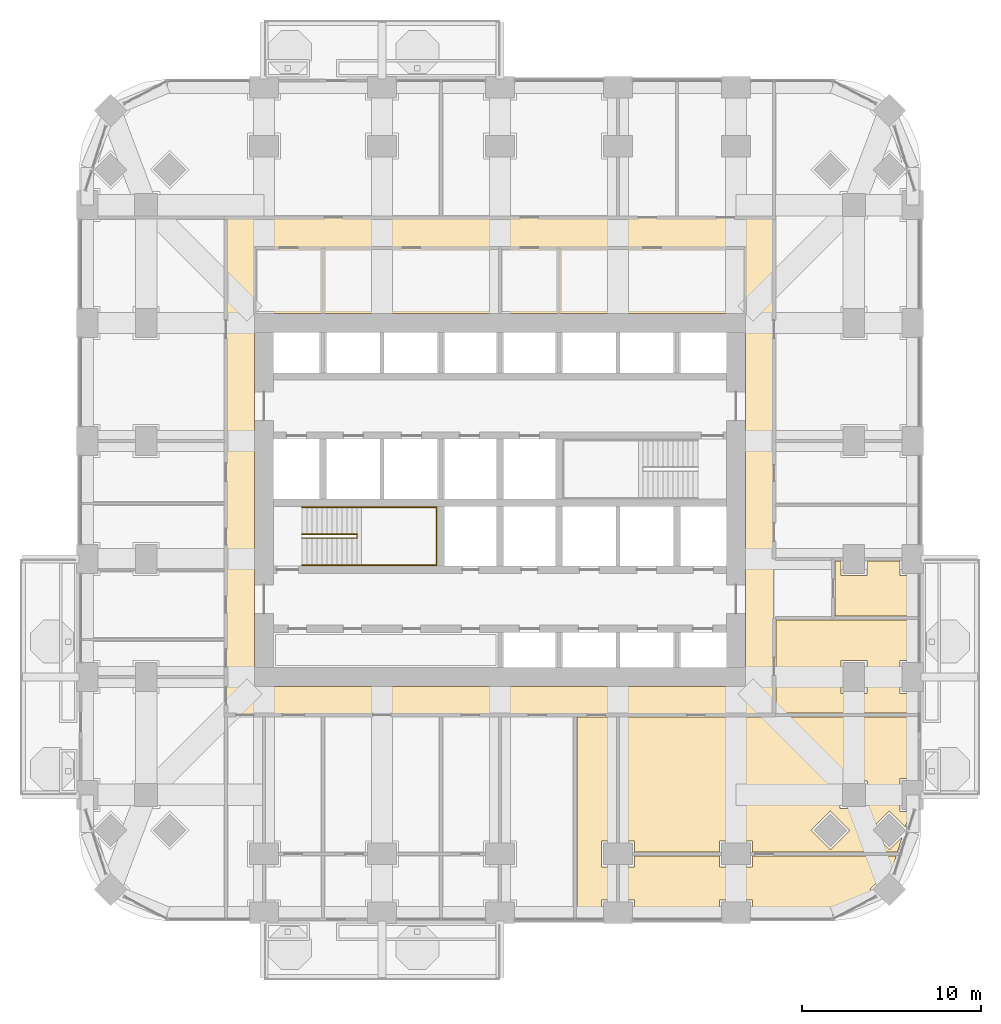
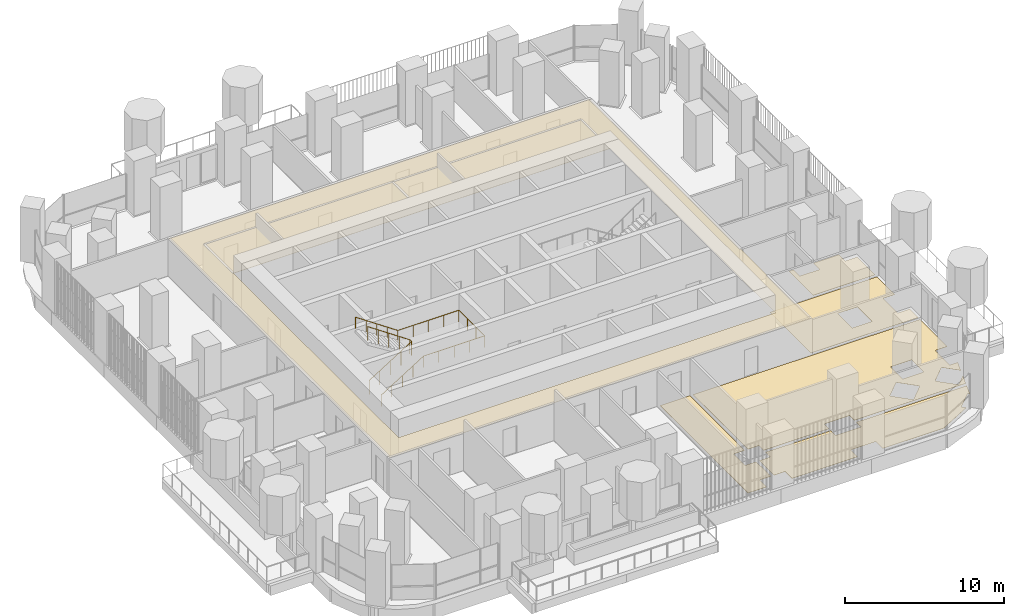
# One storey, part 18 of 21: 6 coverings, 2 railings.
"""IFC4 building model written with IfcOpenShell, lengths in metres."""

from ifc_helpers import new_model, si_unit, direction, frame, origin, place, context, subcontext, project, spatial, polyline, outline, extrude, material, layer, layer_set, type_object, element, save


model = new_model("IFC4")

# Units and contexts
model_context = context("Model", 3, precision=1e-05, world=origin(), true_north=direction((0.0, 1.0)))
body_context = subcontext(model_context, "Body", "Model", "MODEL_VIEW")
ifc_project = project(units=[si_unit("LENGTHUNIT", "METRE"), si_unit("AREAUNIT", "SQUARE_METRE"), si_unit("VOLUMEUNIT", "CUBIC_METRE"), si_unit("PLANEANGLEUNIT", "RADIAN"), si_unit("MASSUNIT", "GRAM", prefix="KILO")], contexts=[model_context])

# Site, building, storey
site_placement = place(None, origin())
site = spatial("IfcSite", under=ifc_project, at=site_placement, CompositionType="ELEMENT")
building_placement = place(site_placement, origin())
building = spatial("IfcBuilding", under=site, at=building_placement, Name="Cobogo Forest Laboratory Tower", CompositionType="ELEMENT")
storey_placement = place(building_placement, frame((0.0, 0.0, 99.0)))
storey = spatial("IfcBuildingStorey", under=building, at=storey_placement, Name="L22", CompositionType="ELEMENT", Elevation=99.0)

# Coverings
ifc_material_1 = material(Name="Mineral fibre ceiling tile", Category="ceiling")
ifc_layer_1 = layer(ifc_material_1, 0.02001953125)
ifc_layer_set_1 = layer_set([ifc_layer_1], Name="CL1 suspended ceiling")
covering_type_1 = type_object("IfcCoveringType", Name="CL1 suspended ceiling", PredefinedType="CEILING", material=ifc_layer_set_1)
covering_1_placement = place(storey_placement, frame((0.0, 0.0, 2.800048828125)))
element("IfcCovering", 1, at=covering_1_placement, inside=storey, type_object=covering_type_1, Name="Corridor ceiling L22", PredefinedType="CEILING", context=body_context, shape_type="SweptSolid", body=[
    extrude(outline(polyline([(11.074951171875, 11.074951171875), (11.074951171875, 38.89990234375), (41.72509765625, 38.89990234375), (41.72509765625, 11.074951171875), (11.074951171875, 11.074951171875)]), holes=[polyline([(40.125, 33.52490234375), (12.675048828125, 33.52490234375), (12.675048828125, 12.675048828125), (40.125, 12.675048828125), (40.125, 33.52490234375)])]), origin(), (0.0, 0.0, 1.0), 0.02001953125),
])
ifc_material_2 = material(Name="Carpet tile on raised access floor", Category="flooring")
ifc_layer_2 = layer(ifc_material_2, 0.008056640625)
ifc_layer_set_2 = layer_set([ifc_layer_2], Name="CT1 carpet tile floor 8")
covering_type_2 = type_object("IfcCoveringType", Name="CT1 carpet tile floor 8", PredefinedType="FLOORING", material=ifc_layer_set_2)
covering_2_placement = place(storey_placement, origin())
element("IfcCovering", 2, at=covering_2_placement, inside=storey, type_object=covering_type_2, Name="Carpet floor L22-15", PredefinedType="FLOORING", context=body_context, shape_type="SweptSolid", body=[
    extrude(outline(polyline([(38.679931640625, 3.179931640625), (38.679931640625, 2.580078125), (40.52001953125, 2.580078125), (40.52001953125, 3.179931640625), (48.560302734375, 3.179931640625), (48.283935546875, 2.304931640625), (48.181884765625, 2.406982421875), (47.093017578125, 1.318115234375), (47.3193359375, 1.091552734375), (44.95068359375, -0.14990234375), (40.52001953125, -0.14990234375), (40.52001953125, 0.719970703125), (38.679931640625, 0.719970703125), (38.679931640625, -0.14990234375), (33.919921875, -0.14990234375), (33.919921875, 0.719970703125), (33.1201171875, 0.719970703125), (33.1201171875, 2.580078125), (33.919921875, 2.580078125), (33.919921875, 3.179931640625), (38.679931640625, 3.179931640625)])), origin(), (0.0, 0.0, 1.0), 0.008056640625),
])
covering_3_placement = place(storey_placement, origin())
element("IfcCovering", 3, at=covering_3_placement, inside=storey, type_object=covering_type_2, Name="Carpet floor L22-16", PredefinedType="FLOORING", context=body_context, shape_type="SweptSolid", body=[
    extrude(outline(polyline([(41.844970703125, 16.3798828125), (49.64990234375, 16.3798828125), (49.64990234375, 14.1201171875), (48.780029296875, 14.1201171875), (48.780029296875, 12.280029296875), (49.64990234375, 12.280029296875), (49.64990234375, 11.195068359375), (41.844970703125, 11.195068359375), (41.844970703125, 16.3798828125)]), holes=[polyline([(45.47998046875, 12.280029296875), (46.919921875, 12.280029296875), (46.919921875, 14.1201171875), (45.47998046875, 14.1201171875), (45.47998046875, 12.280029296875)])]), origin(), (0.0, 0.0, 1.0), 0.008056640625),
])
covering_4_placement = place(storey_placement, origin())
element("IfcCovering", 4, at=covering_4_placement, inside=storey, type_object=covering_type_2, Name="Carpet floor L22-17", PredefinedType="FLOORING", context=body_context, shape_type="SweptSolid", body=[
    extrude(outline(polyline([(45.14501953125, 19.679931640625), (45.47998046875, 19.679931640625), (45.47998046875, 18.8798828125), (46.919921875, 18.8798828125), (46.919921875, 19.679931640625), (48.780029296875, 19.679931640625), (48.780029296875, 18.8798828125), (49.64990234375, 18.8798828125), (49.64990234375, 16.6201171875), (45.14501953125, 16.6201171875), (45.14501953125, 19.679931640625)])), origin(), (0.0, 0.0, 1.0), 0.008056640625),
])

# Railings
ifc_material_3 = material(Name="Steel balustrade", Category="steel")
railing_type_1 = type_object("IfcRailingType", Name="GR stair guard 1100", PredefinedType="GUARDRAIL", material=ifc_material_3)
railing_1_placement = place(storey_placement, frame((15.324951171875, 20.969970703125, 0.175048828125)))
element("IfcRailing", 5, at=railing_1_placement, inside=storey, type_object=railing_type_1, Name="Stair guard ST1 L22", PredefinedType="GUARDRAIL", context=body_context, shape_type="SweptSolid", body=[
    extrude(outline(polyline([(0.022216796875, 0.00927734375), (0.00927734375, 0.022216796875), (-0.00927734375, 0.022216796875), (-0.022216796875, 0.00927734375), (-0.022216796875, -0.00927734375), (-0.00927734375, -0.022216796875), (0.00927734375, -0.022216796875), (0.022216796875, -0.00927734375), (0.022216796875, 0.00927734375)])), frame((0.0, 0.0, 1.077880859375), z_axis=(0.847998304005, 0.0, 0.529998940003), x_axis=(0.0, 1.0, 0.0)), (0.0, 0.0, 1.0), 3.632080078125),
    extrude(outline(polyline([(0.022216796875, 0.00927734375), (0.00927734375, 0.022216796875), (-0.00927734375, 0.022216796875), (-0.022216796875, 0.00927734375), (-0.022216796875, -0.00927734375), (-0.00927734375, -0.022216796875), (0.00927734375, -0.022216796875), (0.022216796875, -0.00927734375), (0.022216796875, 0.00927734375)])), frame((3.080078125, 0.0, 3.0029296875), z_axis=(0.0, 1.0, 0.0), x_axis=(-1.0, 0.0, 0.0)), (0.0, 0.0, 1.0), 0.2099609375),
    extrude(outline(polyline([(0.022216796875, 0.00927734375), (0.00927734375, 0.022216796875), (-0.00927734375, 0.022216796875), (-0.022216796875, 0.00927734375), (-0.022216796875, -0.00927734375), (-0.00927734375, -0.022216796875), (0.00927734375, -0.022216796875), (0.022216796875, -0.00927734375), (0.022216796875, 0.00927734375)])), frame((3.080078125, 0.2099609375, 3.0029296875), z_axis=(-0.826252282691, 0.0, 0.563300244406), x_axis=(0.0, -1.0, 0.0)), (0.0, 0.0, 1.0), 3.727783203125),
    extrude(outline(polyline([(0.019287109375, 0.008056640625), (0.008056640625, 0.019287109375), (-0.008056640625, 0.019287109375), (-0.019287109375, 0.008056640625), (-0.019287109375, -0.008056640625), (-0.008056640625, -0.019287109375), (0.008056640625, -0.019287109375), (0.019287109375, -0.008056640625), (0.019287109375, 0.008056640625)])), origin(), (0.0, 0.0, 1.0), 1.077880859375),
    extrude(outline(polyline([(0.019287109375, 0.008056640625), (0.008056640625, 0.019287109375), (-0.008056640625, 0.019287109375), (-0.019287109375, 0.008056640625), (-0.019287109375, -0.008056640625), (-0.008056640625, -0.019287109375), (0.008056640625, -0.019287109375), (0.019287109375, -0.008056640625), (0.019287109375, 0.008056640625)])), frame((0.77001953125, 0.0, 0.481201171875)), (0.0, 0.0, 1.0), 1.077880859375),
    extrude(outline(polyline([(0.019287109375, 0.008056640625), (0.008056640625, 0.019287109375), (-0.008056640625, 0.019287109375), (-0.019287109375, 0.008056640625), (-0.019287109375, -0.008056640625), (-0.008056640625, -0.019287109375), (0.008056640625, -0.019287109375), (0.019287109375, -0.008056640625), (0.019287109375, 0.008056640625)])), frame((1.5400390625, 0.0, 0.96240234375)), (0.0, 0.0, 1.0), 1.077880859375),
    extrude(outline(polyline([(0.019287109375, 0.008056640625), (0.008056640625, 0.019287109375), (-0.008056640625, 0.019287109375), (-0.019287109375, 0.008056640625), (-0.019287109375, -0.008056640625), (-0.008056640625, -0.019287109375), (0.008056640625, -0.019287109375), (0.019287109375, -0.008056640625), (0.019287109375, 0.008056640625)])), frame((2.31005859375, 0.0, 1.44384765625)), (0.0, 0.0, 1.0), 1.077880859375),
    extrude(outline(polyline([(0.019287109375, 0.008056640625), (0.008056640625, 0.019287109375), (-0.008056640625, 0.019287109375), (-0.019287109375, 0.008056640625), (-0.019287109375, -0.008056640625), (-0.008056640625, -0.019287109375), (0.008056640625, -0.019287109375), (0.019287109375, -0.008056640625), (0.019287109375, 0.008056640625)])), frame((3.080078125, 0.0, 1.925048828125)), (0.0, 0.0, 1.0), 1.077880859375),
    extrude(outline(polyline([(0.019287109375, 0.008056640625), (0.008056640625, 0.019287109375), (-0.008056640625, 0.019287109375), (-0.019287109375, 0.008056640625), (-0.019287109375, -0.008056640625), (-0.008056640625, -0.019287109375), (0.008056640625, -0.019287109375), (0.019287109375, -0.008056640625), (0.019287109375, 0.008056640625)])), frame((3.080078125, 0.2099609375, 1.925048828125)), (0.0, 0.0, 1.0), 1.077880859375),
    extrude(outline(polyline([(0.019287109375, 0.008056640625), (0.008056640625, 0.019287109375), (-0.008056640625, 0.019287109375), (-0.019287109375, 0.008056640625), (-0.019287109375, -0.008056640625), (-0.008056640625, -0.019287109375), (0.008056640625, -0.019287109375), (0.019287109375, -0.008056640625), (0.019287109375, 0.008056640625)])), frame((2.31005859375, 0.2099609375, 2.449951171875)), (0.0, 0.0, 1.0), 1.077880859375),
    extrude(outline(polyline([(0.019287109375, 0.008056640625), (0.008056640625, 0.019287109375), (-0.008056640625, 0.019287109375), (-0.019287109375, 0.008056640625), (-0.019287109375, -0.008056640625), (-0.008056640625, -0.019287109375), (0.008056640625, -0.019287109375), (0.019287109375, -0.008056640625), (0.019287109375, 0.008056640625)])), frame((1.5400390625, 0.2099609375, 2.97509765625)), (0.0, 0.0, 1.0), 1.077880859375),
    extrude(outline(polyline([(0.019287109375, 0.008056640625), (0.008056640625, 0.019287109375), (-0.008056640625, 0.019287109375), (-0.019287109375, 0.008056640625), (-0.019287109375, -0.008056640625), (-0.008056640625, -0.019287109375), (0.008056640625, -0.019287109375), (0.019287109375, -0.008056640625), (0.019287109375, 0.008056640625)])), frame((0.77001953125, 0.2099609375, 3.5)), (0.0, 0.0, 1.0), 1.077880859375),
    extrude(outline(polyline([(0.019287109375, 0.008056640625), (0.008056640625, 0.019287109375), (-0.008056640625, 0.019287109375), (-0.019287109375, 0.008056640625), (-0.019287109375, -0.008056640625), (-0.008056640625, -0.019287109375), (0.008056640625, -0.019287109375), (0.019287109375, -0.008056640625), (0.019287109375, 0.008056640625)])), frame((0.0, 0.2099609375, 4.02490234375)), (0.0, 0.0, 1.0), 1.077880859375),
])
ifc_material_4 = material(Name="Stainless steel handrail", Category="steel")
railing_type_2 = type_object("IfcRailingType", Name="HR handrail 900", PredefinedType="HANDRAIL", material=ifc_material_4)
railing_2_placement = place(storey_placement, frame((15.324951171875, 19.449951171875, 0.175048828125)))
element("IfcRailing", 6, at=railing_2_placement, inside=storey, type_object=railing_type_2, Name="Stair handrail ST1 L22", PredefinedType="HANDRAIL", context=body_context, shape_type="SweptSolid", body=[
    extrude(outline(polyline([(0.022216796875, 0.00927734375), (0.00927734375, 0.022216796875), (-0.00927734375, 0.022216796875), (-0.022216796875, 0.00927734375), (-0.022216796875, -0.00927734375), (-0.00927734375, -0.022216796875), (0.00927734375, -0.022216796875), (0.022216796875, -0.00927734375), (0.022216796875, 0.00927734375)])), frame((0.0, 0.0, 0.877685546875), z_axis=(0.847998304005, 0.0, 0.529998940003), x_axis=(0.0, 1.0, 0.0)), (0.0, 0.0, 1.0), 3.632080078125),
    extrude(outline(polyline([(0.022216796875, 0.00927734375), (0.00927734375, 0.022216796875), (-0.00927734375, 0.022216796875), (-0.022216796875, 0.00927734375), (-0.022216796875, -0.00927734375), (-0.00927734375, -0.022216796875), (0.00927734375, -0.022216796875), (0.022216796875, -0.00927734375), (0.022216796875, 0.00927734375)])), frame((3.080078125, 0.0, 2.802734375), z_axis=(1.0, 0.0, 0.0), x_axis=(0.0, 1.0, 0.0)), (0.0, 0.0, 1.0), 4.445068359375),
    extrude(outline(polyline([(0.022216796875, 0.00927734375), (0.00927734375, 0.022216796875), (-0.00927734375, 0.022216796875), (-0.022216796875, 0.00927734375), (-0.022216796875, -0.00927734375), (-0.00927734375, -0.022216796875), (0.00927734375, -0.022216796875), (0.022216796875, -0.00927734375), (0.022216796875, 0.00927734375)])), frame((7.525146484375, 0.0, 2.802734375), z_axis=(0.0, 1.0, 0.0), x_axis=(-1.0, 0.0, 0.0)), (0.0, 0.0, 1.0), 3.25),
    extrude(outline(polyline([(0.022216796875, 0.00927734375), (0.00927734375, 0.022216796875), (-0.00927734375, 0.022216796875), (-0.022216796875, 0.00927734375), (-0.022216796875, -0.00927734375), (-0.00927734375, -0.022216796875), (0.00927734375, -0.022216796875), (0.022216796875, -0.00927734375), (0.022216796875, 0.00927734375)])), frame((7.525146484375, 3.25, 2.802734375), z_axis=(-1.0, 0.0, 0.0), x_axis=(0.0, -1.0, 0.0)), (0.0, 0.0, 1.0), 4.445068359375),
    extrude(outline(polyline([(0.022216796875, 0.00927734375), (0.00927734375, 0.022216796875), (-0.00927734375, 0.022216796875), (-0.022216796875, 0.00927734375), (-0.022216796875, -0.00927734375), (-0.00927734375, -0.022216796875), (0.00927734375, -0.022216796875), (0.022216796875, -0.00927734375), (0.022216796875, 0.00927734375)])), frame((3.080078125, 3.25, 2.802734375), z_axis=(-0.826252282691, 0.0, 0.563300244406), x_axis=(0.0, -1.0, 0.0)), (0.0, 0.0, 1.0), 3.727783203125),
    extrude(outline(polyline([(0.019287109375, 0.008056640625), (0.008056640625, 0.019287109375), (-0.008056640625, 0.019287109375), (-0.019287109375, 0.008056640625), (-0.019287109375, -0.008056640625), (-0.008056640625, -0.019287109375), (0.008056640625, -0.019287109375), (0.019287109375, -0.008056640625), (0.019287109375, 0.008056640625)])), origin(), (0.0, 0.0, 1.0), 0.877685546875),
    extrude(outline(polyline([(0.019287109375, 0.008056640625), (0.008056640625, 0.019287109375), (-0.008056640625, 0.019287109375), (-0.019287109375, 0.008056640625), (-0.019287109375, -0.008056640625), (-0.008056640625, -0.019287109375), (0.008056640625, -0.019287109375), (0.019287109375, -0.008056640625), (0.019287109375, 0.008056640625)])), frame((0.77001953125, 0.0, 0.481201171875)), (0.0, 0.0, 1.0), 0.877685546875),
    extrude(outline(polyline([(0.019287109375, 0.008056640625), (0.008056640625, 0.019287109375), (-0.008056640625, 0.019287109375), (-0.019287109375, 0.008056640625), (-0.019287109375, -0.008056640625), (-0.008056640625, -0.019287109375), (0.008056640625, -0.019287109375), (0.019287109375, -0.008056640625), (0.019287109375, 0.008056640625)])), frame((1.5400390625, 0.0, 0.96240234375)), (0.0, 0.0, 1.0), 0.877685546875),
    extrude(outline(polyline([(0.019287109375, 0.008056640625), (0.008056640625, 0.019287109375), (-0.008056640625, 0.019287109375), (-0.019287109375, 0.008056640625), (-0.019287109375, -0.008056640625), (-0.008056640625, -0.019287109375), (0.008056640625, -0.019287109375), (0.019287109375, -0.008056640625), (0.019287109375, 0.008056640625)])), frame((2.31005859375, 0.0, 1.44384765625)), (0.0, 0.0, 1.0), 0.877685546875),
    extrude(outline(polyline([(0.019287109375, 0.008056640625), (0.008056640625, 0.019287109375), (-0.008056640625, 0.019287109375), (-0.019287109375, 0.008056640625), (-0.019287109375, -0.008056640625), (-0.008056640625, -0.019287109375), (0.008056640625, -0.019287109375), (0.019287109375, -0.008056640625), (0.019287109375, 0.008056640625)])), frame((3.080078125, 0.0, 1.925048828125)), (0.0, 0.0, 1.0), 0.877685546875),
    extrude(outline(polyline([(0.019287109375, 0.008056640625), (0.008056640625, 0.019287109375), (-0.008056640625, 0.019287109375), (-0.019287109375, 0.008056640625), (-0.019287109375, -0.008056640625), (-0.008056640625, -0.019287109375), (0.008056640625, -0.019287109375), (0.019287109375, -0.008056640625), (0.019287109375, 0.008056640625)])), frame((4.19140625, 0.0, 1.925048828125)), (0.0, 0.0, 1.0), 0.877685546875),
    extrude(outline(polyline([(0.019287109375, 0.008056640625), (0.008056640625, 0.019287109375), (-0.008056640625, 0.019287109375), (-0.019287109375, 0.008056640625), (-0.019287109375, -0.008056640625), (-0.008056640625, -0.019287109375), (0.008056640625, -0.019287109375), (0.019287109375, -0.008056640625), (0.019287109375, 0.008056640625)])), frame((5.302734375, 0.0, 1.925048828125)), (0.0, 0.0, 1.0), 0.877685546875),
    extrude(outline(polyline([(0.019287109375, 0.008056640625), (0.008056640625, 0.019287109375), (-0.008056640625, 0.019287109375), (-0.019287109375, 0.008056640625), (-0.019287109375, -0.008056640625), (-0.008056640625, -0.019287109375), (0.008056640625, -0.019287109375), (0.019287109375, -0.008056640625), (0.019287109375, 0.008056640625)])), frame((6.413818359375, 0.0, 1.925048828125)), (0.0, 0.0, 1.0), 0.877685546875),
    extrude(outline(polyline([(0.019287109375, 0.008056640625), (0.008056640625, 0.019287109375), (-0.008056640625, 0.019287109375), (-0.019287109375, 0.008056640625), (-0.019287109375, -0.008056640625), (-0.008056640625, -0.019287109375), (0.008056640625, -0.019287109375), (0.019287109375, -0.008056640625), (0.019287109375, 0.008056640625)])), frame((7.525146484375, 0.0, 1.925048828125)), (0.0, 0.0, 1.0), 0.877685546875),
    extrude(outline(polyline([(0.019287109375, 0.008056640625), (0.008056640625, 0.019287109375), (-0.008056640625, 0.019287109375), (-0.019287109375, 0.008056640625), (-0.019287109375, -0.008056640625), (-0.008056640625, -0.019287109375), (0.008056640625, -0.019287109375), (0.019287109375, -0.008056640625), (0.019287109375, 0.008056640625)])), frame((7.525146484375, 1.083251953125, 1.925048828125)), (0.0, 0.0, 1.0), 0.877685546875),
    extrude(outline(polyline([(0.019287109375, 0.008056640625), (0.008056640625, 0.019287109375), (-0.008056640625, 0.019287109375), (-0.019287109375, 0.008056640625), (-0.019287109375, -0.008056640625), (-0.008056640625, -0.019287109375), (0.008056640625, -0.019287109375), (0.019287109375, -0.008056640625), (0.019287109375, 0.008056640625)])), frame((7.525146484375, 2.166748046875, 1.925048828125)), (0.0, 0.0, 1.0), 0.877685546875),
    extrude(outline(polyline([(0.019287109375, 0.008056640625), (0.008056640625, 0.019287109375), (-0.008056640625, 0.019287109375), (-0.019287109375, 0.008056640625), (-0.019287109375, -0.008056640625), (-0.008056640625, -0.019287109375), (0.008056640625, -0.019287109375), (0.019287109375, -0.008056640625), (0.019287109375, 0.008056640625)])), frame((7.525146484375, 3.25, 1.925048828125)), (0.0, 0.0, 1.0), 0.877685546875),
    extrude(outline(polyline([(0.019287109375, 0.008056640625), (0.008056640625, 0.019287109375), (-0.008056640625, 0.019287109375), (-0.019287109375, 0.008056640625), (-0.019287109375, -0.008056640625), (-0.008056640625, -0.019287109375), (0.008056640625, -0.019287109375), (0.019287109375, -0.008056640625), (0.019287109375, 0.008056640625)])), frame((6.413818359375, 3.25, 1.925048828125)), (0.0, 0.0, 1.0), 0.877685546875),
    extrude(outline(polyline([(0.019287109375, 0.008056640625), (0.008056640625, 0.019287109375), (-0.008056640625, 0.019287109375), (-0.019287109375, 0.008056640625), (-0.019287109375, -0.008056640625), (-0.008056640625, -0.019287109375), (0.008056640625, -0.019287109375), (0.019287109375, -0.008056640625), (0.019287109375, 0.008056640625)])), frame((5.302734375, 3.25, 1.925048828125)), (0.0, 0.0, 1.0), 0.877685546875),
    extrude(outline(polyline([(0.019287109375, 0.008056640625), (0.008056640625, 0.019287109375), (-0.008056640625, 0.019287109375), (-0.019287109375, 0.008056640625), (-0.019287109375, -0.008056640625), (-0.008056640625, -0.019287109375), (0.008056640625, -0.019287109375), (0.019287109375, -0.008056640625), (0.019287109375, 0.008056640625)])), frame((4.19140625, 3.25, 1.925048828125)), (0.0, 0.0, 1.0), 0.877685546875),
    extrude(outline(polyline([(0.019287109375, 0.008056640625), (0.008056640625, 0.019287109375), (-0.008056640625, 0.019287109375), (-0.019287109375, 0.008056640625), (-0.019287109375, -0.008056640625), (-0.008056640625, -0.019287109375), (0.008056640625, -0.019287109375), (0.019287109375, -0.008056640625), (0.019287109375, 0.008056640625)])), frame((3.080078125, 3.25, 1.925048828125)), (0.0, 0.0, 1.0), 0.877685546875),
    extrude(outline(polyline([(0.019287109375, 0.008056640625), (0.008056640625, 0.019287109375), (-0.008056640625, 0.019287109375), (-0.019287109375, 0.008056640625), (-0.019287109375, -0.008056640625), (-0.008056640625, -0.019287109375), (0.008056640625, -0.019287109375), (0.019287109375, -0.008056640625), (0.019287109375, 0.008056640625)])), frame((2.31005859375, 3.25, 2.449951171875)), (0.0, 0.0, 1.0), 0.877685546875),
    extrude(outline(polyline([(0.019287109375, 0.008056640625), (0.008056640625, 0.019287109375), (-0.008056640625, 0.019287109375), (-0.019287109375, 0.008056640625), (-0.019287109375, -0.008056640625), (-0.008056640625, -0.019287109375), (0.008056640625, -0.019287109375), (0.019287109375, -0.008056640625), (0.019287109375, 0.008056640625)])), frame((1.5400390625, 3.25, 2.97509765625)), (0.0, 0.0, 1.0), 0.877685546875),
    extrude(outline(polyline([(0.019287109375, 0.008056640625), (0.008056640625, 0.019287109375), (-0.008056640625, 0.019287109375), (-0.019287109375, 0.008056640625), (-0.019287109375, -0.008056640625), (-0.008056640625, -0.019287109375), (0.008056640625, -0.019287109375), (0.019287109375, -0.008056640625), (0.019287109375, 0.008056640625)])), frame((0.77001953125, 3.25, 3.5)), (0.0, 0.0, 1.0), 0.877685546875),
    extrude(outline(polyline([(0.019287109375, 0.008056640625), (0.008056640625, 0.019287109375), (-0.008056640625, 0.019287109375), (-0.019287109375, 0.008056640625), (-0.019287109375, -0.008056640625), (-0.008056640625, -0.019287109375), (0.008056640625, -0.019287109375), (0.019287109375, -0.008056640625), (0.019287109375, 0.008056640625)])), frame((0.0, 3.25, 4.02490234375)), (0.0, 0.0, 1.0), 0.877685546875),
])

# Coverings
ifc_material_5 = material(Name="Ceramic floor tile", Category="flooring")
ifc_layer_3 = layer(ifc_material_5, 0.010009765625)
ifc_layer_set_3 = layer_set([ifc_layer_3], Name="TF1 ceramic tile floor 10")
covering_type_3 = type_object("IfcCoveringType", Name="TF1 ceramic tile floor 10", PredefinedType="FLOORING", material=ifc_layer_set_3)
covering_5_placement = place(storey_placement, origin())
element("IfcCovering", 7, at=covering_5_placement, inside=storey, type_object=covering_type_3, Name="Tile floor L22-13", PredefinedType="FLOORING", context=body_context, shape_type="SweptSolid", body=[
    extrude(outline(polyline([(32.8798828125, 10.955078125), (32.8798828125, 4.02001953125), (32.080078125, 4.02001953125), (32.080078125, 2.580078125), (32.8798828125, 2.580078125), (32.8798828125, 0.719970703125), (32.080078125, 0.719970703125), (32.080078125, -0.14990234375), (30.719970703125, -0.14990234375), (30.719970703125, 10.955078125), (32.8798828125, 10.955078125)])), origin(), (0.0, 0.0, 1.0), 0.010009765625),
])
covering_6_placement = place(storey_placement, origin())
element("IfcCovering", 8, at=covering_6_placement, inside=storey, type_object=covering_type_3, Name="Tile floor L22-14", PredefinedType="FLOORING", context=body_context, shape_type="SweptSolid", body=[
    extrude(outline(polyline([(33.1201171875, 10.955078125), (49.64990234375, 10.955078125), (49.64990234375, 7.52001953125), (48.780029296875, 7.52001953125), (48.780029296875, 5.679931640625), (49.349853515625, 5.679931640625), (49.075927734375, 4.81298828125), (48.181884765625, 5.70703125), (47.093017578125, 4.617919921875), (48.181884765625, 3.529052734375), (48.89599609375, 4.2431640625), (48.635986328125, 3.419921875), (40.52001953125, 3.419921875), (40.52001953125, 4.02001953125), (38.679931640625, 4.02001953125), (38.679931640625, 3.419921875), (33.919921875, 3.419921875), (33.919921875, 4.02001953125), (33.1201171875, 4.02001953125), (33.1201171875, 10.955078125)]), holes=[polyline([(45.429931640625, 5.830078125), (46.969970703125, 5.830078125), (46.969970703125, 7.3701171875), (45.429931640625, 7.3701171875), (45.429931640625, 5.830078125)]), polyline([(43.79296875, 4.617919921875), (44.882080078125, 3.529052734375), (45.970947265625, 4.617919921875), (44.882080078125, 5.70703125), (43.79296875, 4.617919921875)])]), origin(), (0.0, 0.0, 1.0), 0.010009765625),
])

save(model, "model.ifc")
